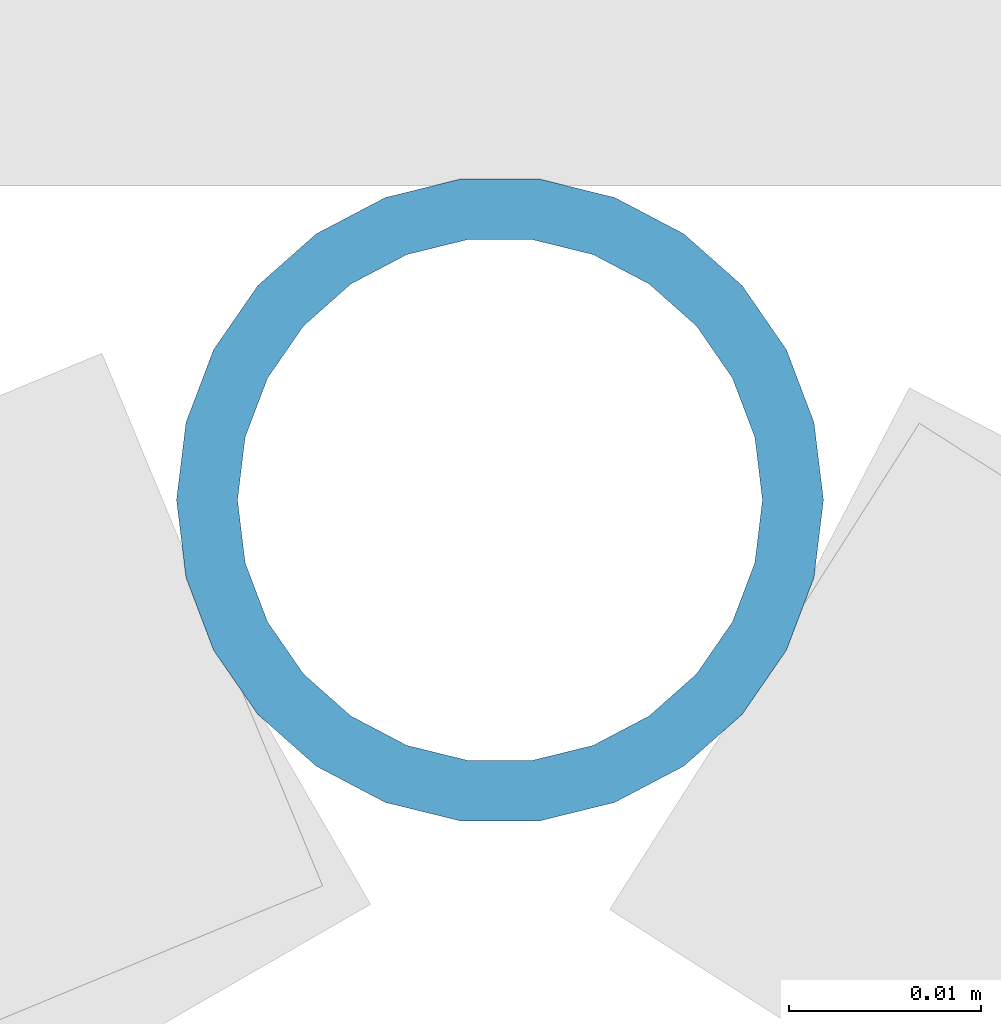
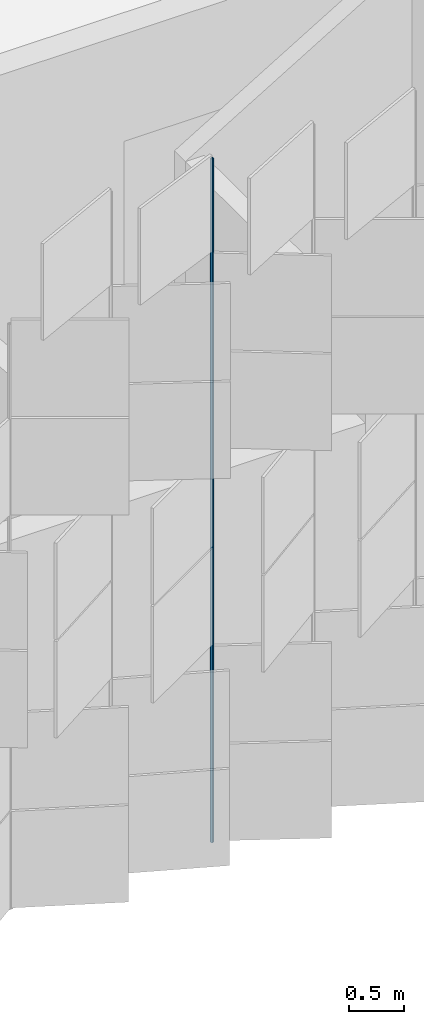
# One storey, part 158 of 483: 1 discrete accessory.
"""IFC4 building model written with IfcOpenShell, lengths in metres."""

from ifc_helpers import new_model, si_unit, direction, frame, origin, origin_2d, place, context, subcontext, project, spatial, hollow_circle, extrude, material, material_profile, profile_set, type_object, element, save


model = new_model("IFC4")

# Units and contexts
model_context = context("Model", 3, precision=1e-05, world=origin(), true_north=direction((0.0, 1.0)))
body_context = subcontext(model_context, "Body", "Model", "MODEL_VIEW")
ifc_project = project(units=[si_unit("LENGTHUNIT", "METRE"), si_unit("AREAUNIT", "SQUARE_METRE"), si_unit("VOLUMEUNIT", "CUBIC_METRE"), si_unit("PLANEANGLEUNIT", "RADIAN"), si_unit("MASSUNIT", "GRAM", prefix="KILO")], contexts=[model_context])

# Site, building, storey
site_placement = place(None, origin())
site = spatial("IfcSite", under=ifc_project, at=site_placement, CompositionType="ELEMENT")
building_placement = place(site_placement, origin())
building = spatial("IfcBuilding", under=site, at=building_placement, Name="Parallax Yard Mobility Hub", CompositionType="ELEMENT")
storey_placement = place(building_placement, frame((0.0, 0.0, 13.199951171875)))
storey = spatial("IfcBuildingStorey", under=building, at=storey_placement, Name="L04", CompositionType="ELEMENT", Elevation=13.199951171875)

# Discrete accessory
ifc_material = material(Name="Steel ASTM A500 Gr C, hot-dip galvanised", Category="steel")
ifc_material_profile = material_profile(ifc_material, hollow_circle(Radius=0.016845703125, WallThickness=0.003173828125, at=origin_2d()), Name="CHS 33.7x3.2")
ifc_profile_set = profile_set([ifc_material_profile], Name="Steel ASTM A500 Gr C, hot-dip galvanised")
discrete_accessory_type = type_object("IfcDiscreteAccessoryType", Name="Hinge post CHS 33.7x3.2", PredefinedType="BRACKET", material=ifc_profile_set)
discrete_accessory_placement = place(storey_placement, frame((130.70361328125, 112.199951171875, 0.0), z_axis=(0.0, 0.0, 1.0), x_axis=(1.0, 0.0, 0.0)))
element("IfcDiscreteAccessory", 1, at=discrete_accessory_placement, inside=storey, type_object=discrete_accessory_type, Name="Hinge post bay 13.4 level L04", PredefinedType="BRACKET", context=body_context, shape_type="SweptSolid", body=[
    extrude(hollow_circle(Radius=0.016845703125, WallThickness=0.003173828125, at=origin_2d()), origin(), (0.0, 0.0, 1.0), 7.650146484375),
])

save(model, "model.ifc")
